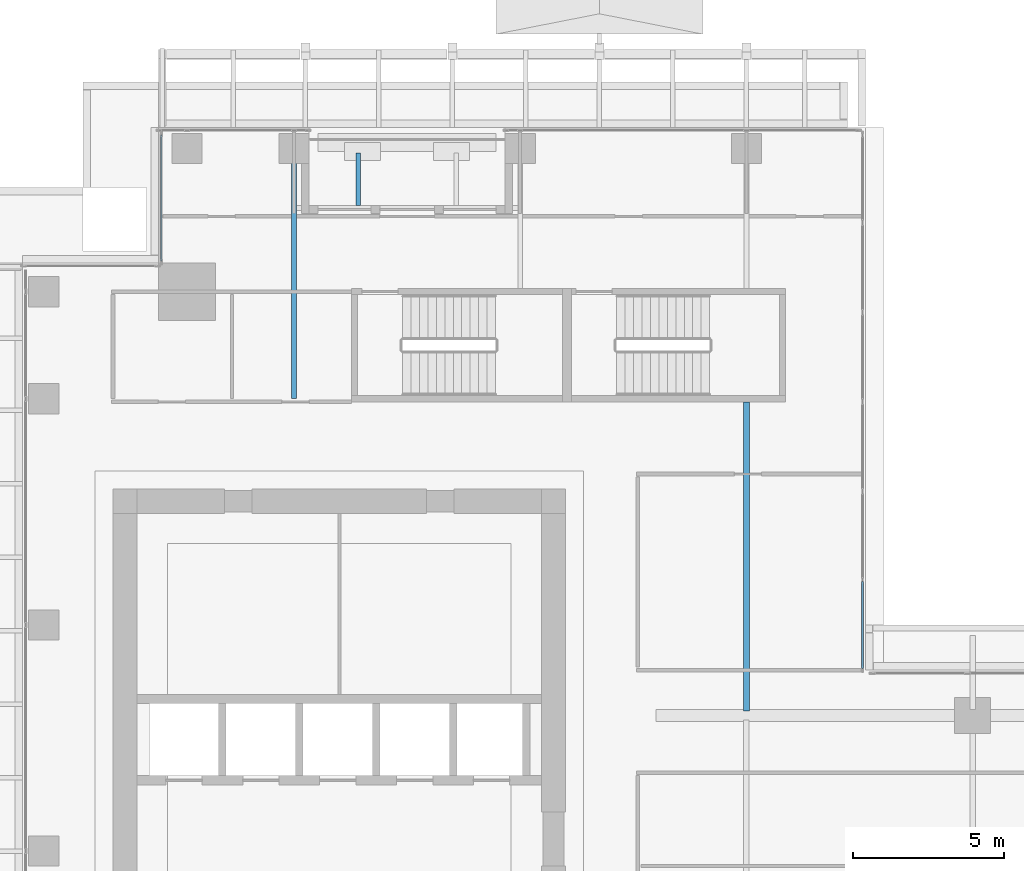
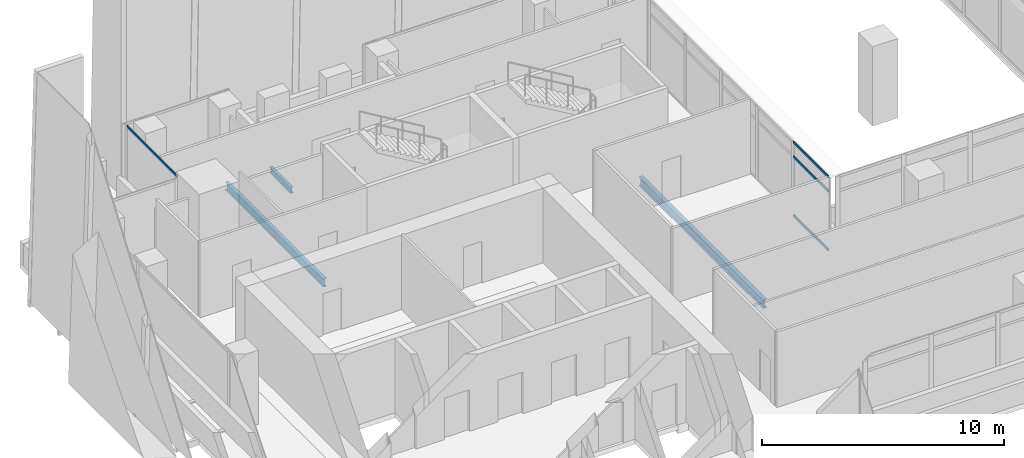
# One storey, part 17 of 43: 4 members, 3 beams, 2 elements without a shape of their own.
"""IFC4 building model written with IfcOpenShell, lengths in metres."""

from ifc_helpers import new_model, si_unit, direction, frame, origin, origin_2d, place, context, subcontext, project, spatial, hollow_rectangle, i_section, extrude, source, transform, mapped, material, material_profile, profile_set, type_object, element, aggregate, save


model = new_model("IFC4")

# Units and contexts
model_context = context("Model", 3, precision=1e-05, world=origin(), true_north=direction((0.0, 1.0)))
body_context = subcontext(model_context, "Body", "Model", "MODEL_VIEW")
ifc_project = project(units=[si_unit("LENGTHUNIT", "METRE"), si_unit("AREAUNIT", "SQUARE_METRE"), si_unit("VOLUMEUNIT", "CUBIC_METRE"), si_unit("PLANEANGLEUNIT", "RADIAN"), si_unit("MASSUNIT", "GRAM", prefix="KILO")], contexts=[model_context])

# Site, building, storey
site_placement = place(None, origin())
site = spatial("IfcSite", under=ifc_project, at=site_placement, CompositionType="ELEMENT")
building_placement = place(site_placement, origin())
building = spatial("IfcBuilding", under=site, at=building_placement, Name="Khomas Fold Tower", CompositionType="ELEMENT")
storey_placement = place(building_placement, frame((0.0, 0.0, 164.699951171875)))
storey = spatial("IfcBuildingStorey", under=building, at=storey_placement, Name="L35", CompositionType="ELEMENT", Elevation=164.699951171875)

# Beams
ifc_material_1 = material(Name="Steel S355", Category="steel")
ifc_material_profile_1 = material_profile(ifc_material_1, i_section(OverallWidth=0.18994140625, OverallDepth=0.449951171875, WebThickness=0.009521484375, FlangeThickness=0.0146484375, at=origin_2d()), Name="IPE 450")
ifc_profile_set_1 = profile_set([ifc_material_profile_1], Name="Steel S355")
beam_type_1 = type_object("IfcBeamType", Name="IPE 450 beam JB4", PredefinedType="BEAM", material=ifc_profile_set_1)
shared_shape_1 = source(origin(), body_context, "Body", "SweptSolid", [
    extrude(i_section(OverallWidth=0.18994140625, OverallDepth=0.449951171875, WebThickness=0.009521484375, FlangeThickness=0.0146484375, at=origin_2d()), origin(), (0.0, 0.0, 1.0), 10.25),
])
beam_1_placement = place(storey_placement, frame((27.0, 31.64990234375, -0.474853515625), z_axis=(0.0, 1.0, 0.0), x_axis=(-1.0, 0.0, 0.0)))
element("IfcBeam", 1, at=beam_1_placement, inside=storey, type_object=beam_type_1, Name="JB4", PredefinedType="BEAM", context=body_context, shape_type="MappedRepresentation", body=[
    mapped(shared_shape_1, transform((0.0, 0.0, 0.0))),
])
ifc_material_2 = material(Name="Steel S355", Category="steel")
ifc_material_profile_2 = material_profile(ifc_material_2, i_section(OverallWidth=0.179931640625, OverallDepth=0.39990234375, WebThickness=0.008544921875, FlangeThickness=0.013427734375, at=origin_2d()), Name="IPE 400")
ifc_profile_set_2 = profile_set([ifc_material_profile_2], Name="Steel S355")
beam_type_2 = type_object("IfcBeamType", Name="IPE 400 beam JB3", PredefinedType="BEAM", material=ifc_profile_set_2)
shared_shape_2 = source(origin(), body_context, "Body", "SweptSolid", [
    extrude(i_section(OverallWidth=0.179931640625, OverallDepth=0.39990234375, WebThickness=0.008544921875, FlangeThickness=0.013427734375, at=origin_2d()), origin(), (0.0, 0.0, 1.0), 8.10009765625),
])
beam_2_placement = place(storey_placement, frame((12.0, 42.0, -0.449951171875), z_axis=(0.0, 1.0, 0.0), x_axis=(-1.0, 0.0, 0.0)))
element("IfcBeam", 2, at=beam_2_placement, inside=storey, type_object=beam_type_2, Name="JB3", PredefinedType="BEAM", context=body_context, shape_type="MappedRepresentation", body=[
    mapped(shared_shape_2, transform((0.0, 0.0, 0.0))),
])
ifc_material_3 = material(Name="Steel S355", Category="steel")
ifc_material_profile_3 = material_profile(ifc_material_3, i_section(OverallWidth=0.14990234375, OverallDepth=0.300048828125, WebThickness=0.007080078125, FlangeThickness=0.0107421875, at=origin_2d()), Name="IPE 300")
ifc_profile_set_3 = profile_set([ifc_material_profile_3], Name="Steel S355")
beam_type_3 = type_object("IfcBeamType", Name="IPE 300 beam BB2", PredefinedType="BEAM", material=ifc_profile_set_3)
shared_shape_3 = source(origin(), body_context, "Body", "SweptSolid", [
    extrude(i_section(OverallWidth=0.14990234375, OverallDepth=0.300048828125, WebThickness=0.007080078125, FlangeThickness=0.0107421875, at=origin_2d()), origin(), (0.0, 0.0, 1.0), 1.75),
])
beam_3_placement = place(storey_placement, frame((14.125, 48.39990234375, -0.39990234375), z_axis=(0.0, 1.0, 0.0), x_axis=(-1.0, 0.0, 0.0)))
element("IfcBeam", 3, at=beam_3_placement, inside=storey, type_object=beam_type_3, Name="BB2", PredefinedType="BEAM", context=body_context, shape_type="MappedRepresentation", body=[
    mapped(shared_shape_3, transform((0.0, 0.0, 0.0))),
])

# Curtain wall, member
ifc_material_4 = material(Name="Aluminium framed double glazing", Category="aluminium")
curtain_wall_type_1 = type_object("IfcCurtainWallType", Name="SK-Unitised clear-glass wall, office floors CW2", PredefinedType="NOTDEFINED", material=ifc_material_4)
curtain_wall_1_placement = place(storey_placement, origin())
curtain_wall_1 = element("IfcCurtainWall", 4, at=curtain_wall_1_placement, inside=storey, type_object=curtain_wall_type_1, Name="CW2 corner return L35 16", PredefinedType="NOTDEFINED")
ifc_material_5 = material(Name="Aluminium", Category="aluminium")
ifc_material_profile_4 = material_profile(ifc_material_5, hollow_rectangle(XDim=0.050048828125, YDim=0.110107421875, WallThickness=0.00390625, at=origin_2d()), Name="SK-Unitised clear-glass wall, office floors transom CW2-T")
ifc_profile_set_4 = profile_set([ifc_material_profile_4], Name="Aluminium")
member_type_1 = type_object("IfcMemberType", Name="SK-Unitised clear-glass wall, office floors transom CW2-T", PredefinedType="USERDEFINED", material=ifc_profile_set_4)
shared_shape_4 = source(origin(), body_context, "Body", "SweptSolid", [
    extrude(hollow_rectangle(XDim=0.050048828125, YDim=0.110107421875, WallThickness=0.00390625, at=origin_2d()), origin(), (0.0, 0.0, 1.0), 4.179931640625),
])
member_1_placement = place(storey_placement, frame((7.60009765625, 50.739990234375, 3.695068359375), z_axis=(0.0, -1.0, 0.0), x_axis=(1.0, 0.0, 0.0)))
member_1 = element("IfcMember", 5, at=member_1_placement, type_object=member_type_1, Name="CW2 transom 1", ObjectType="TRANSOM", PredefinedType="USERDEFINED", context=body_context, shape_type="MappedRepresentation", body=[
    mapped(shared_shape_4, transform((0.0, 0.0, 0.0))),
])
aggregate(curtain_wall_1, [member_1])

# Curtain wall, members
ifc_material_6 = material(Name="Aluminium framed double glazing", Category="aluminium")
curtain_wall_type_2 = type_object("IfcCurtainWallType", Name="Notch glazing GN-CW", PredefinedType="NOTDEFINED", material=ifc_material_6)
curtain_wall_2_placement = place(storey_placement, origin())
curtain_wall_2 = element("IfcCurtainWall", 6, at=curtain_wall_2_placement, inside=storey, type_object=curtain_wall_type_2, Name="Notch glazing run", PredefinedType="NOTDEFINED")
ifc_material_7 = material(Name="Aluminium", Category="aluminium")
ifc_material_profile_5 = material_profile(ifc_material_7, hollow_rectangle(XDim=0.06005859375, YDim=0.1201171875, WallThickness=0.00390625, at=origin_2d()), Name="Notch glazing transom GN-CW-T")
ifc_profile_set_5 = profile_set([ifc_material_profile_5], Name="Aluminium")
member_type_2 = type_object("IfcMemberType", Name="Notch glazing transom GN-CW-T", PredefinedType="USERDEFINED", material=ifc_profile_set_5)
shared_shape_5 = source(origin(), body_context, "Body", "SweptSolid", [
    extrude(hollow_rectangle(XDim=0.06005859375, YDim=0.1201171875, WallThickness=0.00390625, at=origin_2d()), origin(), (0.0, 0.0, 1.0), 2.876708984375),
])
member_2_placement = place(storey_placement, frame((30.85009765625, 33.06005859375, 0.030029296875), z_axis=(0.0, 1.0, 0.0), x_axis=(-1.0, 0.0, 0.0)))
member_2 = element("IfcMember", 7, at=member_2_placement, type_object=member_type_2, Name="GN-CW transom 1.1", ObjectType="TRANSOM", PredefinedType="USERDEFINED", context=body_context, shape_type="MappedRepresentation", body=[
    mapped(shared_shape_5, transform((0.0, 0.0, 0.0))),
])
member_3_placement = place(storey_placement, frame((30.85009765625, 33.06005859375, 3.0), z_axis=(0.0, 1.0, 0.0), x_axis=(-1.0, 0.0, 0.0)))
member_3 = element("IfcMember", 8, at=member_3_placement, type_object=member_type_2, Name="GN-CW transom 1.2", ObjectType="TRANSOM", PredefinedType="USERDEFINED", context=body_context, shape_type="MappedRepresentation", body=[
    mapped(shared_shape_5, transform((0.0, 0.0, 0.0))),
])
member_4_placement = place(storey_placement, frame((30.85009765625, 33.06005859375, 3.719970703125), z_axis=(0.0, 1.0, 0.0), x_axis=(-1.0, 0.0, 0.0)))
member_4 = element("IfcMember", 9, at=member_4_placement, type_object=member_type_2, Name="GN-CW transom 1.3", ObjectType="TRANSOM", PredefinedType="USERDEFINED", context=body_context, shape_type="MappedRepresentation", body=[
    mapped(shared_shape_5, transform((0.0, 0.0, 0.0))),
])
aggregate(curtain_wall_2, [member_2, member_3, member_4])

save(model, "model.ifc")
